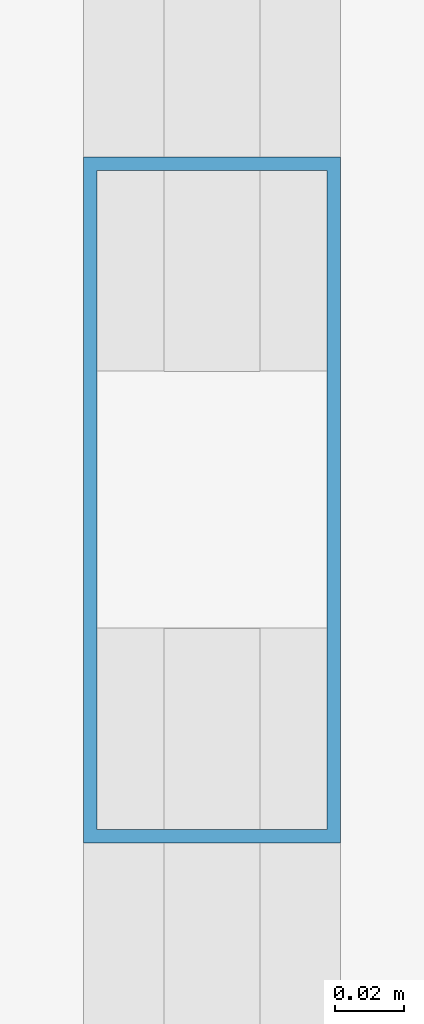
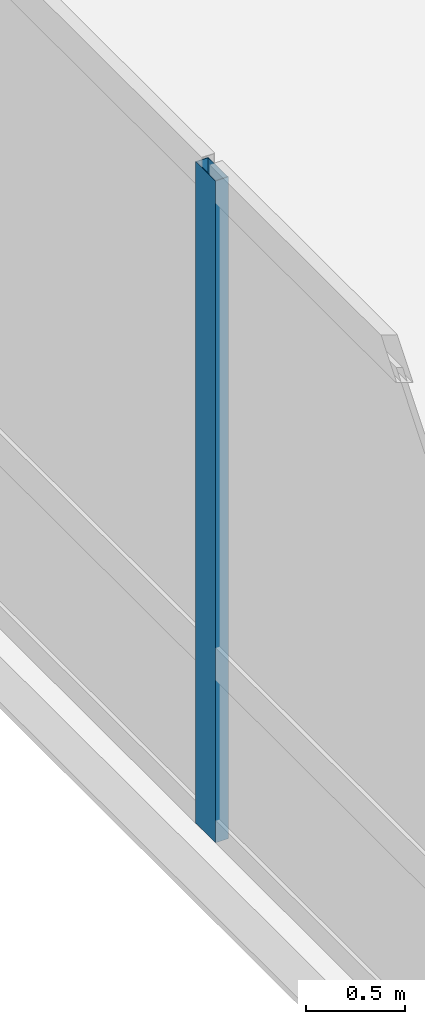
# One storey, part 10 of 40: 1 member, 1 element without a shape of its own.
"""IFC4 building model written with IfcOpenShell, lengths in metres."""

from ifc_helpers import new_model, si_unit, direction, frame, origin, origin_2d, place, context, subcontext, project, spatial, hollow_rectangle, extrude, material, layer, layer_set, material_profile, profile_set, type_object, element, aggregate, save


model = new_model("IFC4")

# Units and contexts
model_context = context("Model", 3, precision=1e-05, world=origin(), true_north=direction((0.0, 1.0)))
body_context = subcontext(model_context, "Body", "Model", "MODEL_VIEW")
ifc_project = project(units=[si_unit("LENGTHUNIT", "METRE"), si_unit("AREAUNIT", "SQUARE_METRE"), si_unit("VOLUMEUNIT", "CUBIC_METRE"), si_unit("PLANEANGLEUNIT", "RADIAN"), si_unit("MASSUNIT", "GRAM", prefix="KILO")], contexts=[model_context])

# Site, building, storey
site_placement = place(None, origin())
site = spatial("IfcSite", under=ifc_project, at=site_placement, CompositionType="ELEMENT")
building_placement = place(site_placement, origin())
building = spatial("IfcBuilding", under=site, at=building_placement, Name="Varnelok Gate Tower", CompositionType="ELEMENT")
storey_placement = place(building_placement, frame((0.0, 0.0, 5.39990234375)))
storey = spatial("IfcBuildingStorey", under=building, at=storey_placement, Name="L01", CompositionType="ELEMENT", Elevation=5.39990234375)

# Curtain wall, member
ifc_material = material(Name="Anodized Aluminum Alloy 6063-T6", Category="aluminium")
ifc_layer = layer(ifc_material, 0.179931640625)
ifc_layer_set = layer_set([ifc_layer], Name="Anodized Aluminum Alloy 6063-T6")
curtain_wall_type = type_object("IfcCurtainWallType", Name="CW1-ARCH-PORTAL", PredefinedType="USERDEFINED", material=ifc_layer_set)
curtain_wall_placement = place(storey_placement, origin())
curtain_wall = element("IfcCurtainWall", 1, at=curtain_wall_placement, inside=storey, type_object=curtain_wall_type, Name="L01 Podium Portal Curtain Wall W", ObjectType="UNITISED CURTAIN WALL", PredefinedType="USERDEFINED")
ifc_material_profile = material_profile(ifc_material, hollow_rectangle(XDim=0.074951171875, YDim=0.199951171875, WallThickness=0.00390625, at=origin_2d()), Name="ALU200X75X4")
ifc_profile_set = profile_set([ifc_material_profile], Name="Anodized Aluminum Alloy 6063-T6")
member_type = type_object("IfcMemberType", Name="CW-MULL-200", PredefinedType="MULLION", material=ifc_profile_set)
member_placement = place(storey_placement, frame((0.159912109375, 30.199951171875, 0.0), z_axis=(0.0, 0.0, 1.0), x_axis=(-1.0, 0.0, 0.0)))
member = element("IfcMember", 2, at=member_placement, type_object=member_type, Name="CW1 mullion 4", PredefinedType="MULLION", context=body_context, shape_type="SweptSolid", body=[
    extrude(hollow_rectangle(XDim=0.074951171875, YDim=0.199951171875, WallThickness=0.00390625, at=origin_2d()), origin(), (0.0, 0.0, 1.0), 4.070068359375),
])
aggregate(curtain_wall, [member])

save(model, "model.ifc")
